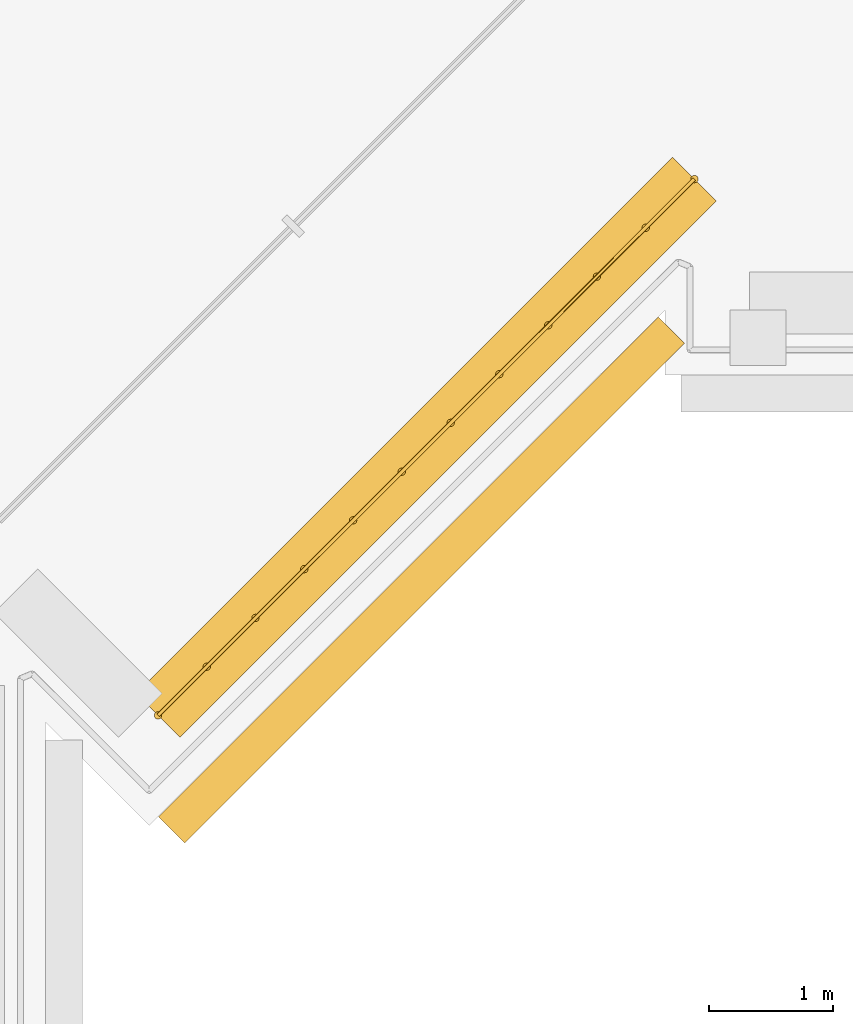
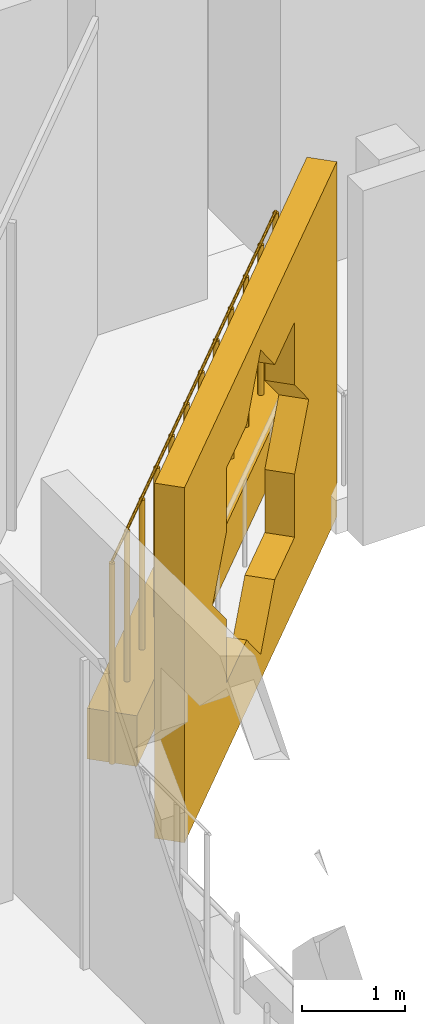
# One storey, part 22 of 28: 2 coverings, 1 railing.
"""IFC4 building model written with IfcOpenShell, lengths in metres."""

from ifc_helpers import new_model, si_unit, direction, frame, origin, origin_2d, place, context, subcontext, project, spatial, polyline, rectangle, circle, outline, extrude, material, material_profile, profile_set, type_object, element, save


model = new_model("IFC4")

# Units and contexts
model_context = context("Model", 3, precision=1e-05, world=origin(), true_north=direction((0.0, 1.0)))
body_context = subcontext(model_context, "Body", "Model", "MODEL_VIEW")
ifc_project = project(units=[si_unit("LENGTHUNIT", "METRE"), si_unit("AREAUNIT", "SQUARE_METRE"), si_unit("VOLUMEUNIT", "CUBIC_METRE"), si_unit("PLANEANGLEUNIT", "RADIAN"), si_unit("MASSUNIT", "GRAM", prefix="KILO")], contexts=[model_context])

# Site, building, storey
site_placement = place(None, origin())
site = spatial("IfcSite", under=ifc_project, at=site_placement, CompositionType="ELEMENT")
building_placement = place(site_placement, origin())
building = spatial("IfcBuilding", under=site, at=building_placement, Name="Kawkab Arch Medical Tower", CompositionType="ELEMENT")
storey_placement = place(building_placement, frame((0.0, 0.0, 47.60009765625)))
storey = spatial("IfcBuildingStorey", under=building, at=storey_placement, Name="L10", CompositionType="ELEMENT", Elevation=47.60009765625)

# Coverings
ifc_material_1 = material(Name="Bronze anodised aluminium mashrabiya panel, eight-point star pattern", Category="aluminium")
ifc_material_profile_1 = material_profile(ifc_material_1, outline(polyline([(-2.85009765625, -2.10009765625), (2.85009765625, -2.10009765625), (2.85009765625, 2.10009765625), (-2.85009765625, 2.10009765625), (-2.85009765625, -2.10009765625)]), holes=[polyline([(1.800048828125, 0.0), (1.272705078125, 0.527099609375), (1.272705078125, 1.272705078125), (0.527099609375, 1.272705078125), (0.0, 1.800048828125), (-0.527099609375, 1.272705078125), (-1.272705078125, 1.272705078125), (-1.272705078125, 0.527099609375), (-1.800048828125, 0.0), (-1.272705078125, -0.527099609375), (-1.272705078125, -1.272705078125), (-0.527099609375, -1.272705078125), (0.0, -1.800048828125), (0.527099609375, -1.272705078125), (1.272705078125, -1.272705078125), (1.272705078125, -0.527099609375), (1.800048828125, 0.0)])]), Name="Mashrabiya panel 5700x4200")
ifc_profile_set_1 = profile_set([ifc_material_profile_1], Name="Bronze anodised aluminium mashrabiya panel, eight-point star pattern")
covering_type_1 = type_object("IfcCoveringType", Name="Mashrabiya panel 5700 x 4200", PredefinedType="USERDEFINED", material=ifc_profile_set_1)
covering_1_placement = place(storey_placement, frame((29.128662109375, -30.94775390625, 1.699951171875), z_axis=(0.707106781187, -0.707106781187, 0.0), x_axis=(0.707106781187, 0.707106781187, 0.0)))
element("IfcCovering", 1, at=covering_1_placement, inside=storey, type_object=covering_type_1, Name="Mashrabiya panel L10.LOG-01-02.13", ObjectType="SCREEN", PredefinedType="USERDEFINED", context=body_context, shape_type="SweptSolid", body=[
    extrude(outline(polyline([(-2.85009765625, -2.10009765625), (2.85009765625, -2.10009765625), (2.85009765625, 2.10009765625), (-2.85009765625, 2.10009765625), (-2.85009765625, -2.10009765625)]), holes=[polyline([(1.800048828125, 0.0), (1.272705078125, 0.527099609375), (1.272705078125, 1.272705078125), (0.527099609375, 1.272705078125), (0.0, 1.800048828125), (-0.527099609375, 1.272705078125), (-1.272705078125, 1.272705078125), (-1.272705078125, 0.527099609375), (-1.800048828125, 0.0), (-1.272705078125, -0.527099609375), (-1.272705078125, -1.272705078125), (-0.527099609375, -1.272705078125), (0.0, -1.800048828125), (0.527099609375, -1.272705078125), (1.272705078125, -1.272705078125), (1.272705078125, -0.527099609375), (1.800048828125, 0.0)])]), origin(), (0.0, 0.0, 1.0), 0.300048828125),
])
ifc_material_2 = material(Name="Planting soil in a precast trough", Category="concrete")
ifc_material_profile_2 = material_profile(ifc_material_2, rectangle(XDim=0.5, YDim=0.60009765625, at=origin_2d()), Name="Trough 500x600")
ifc_profile_set_2 = profile_set([ifc_material_profile_2], Name="Planting soil in a precast trough")
covering_type_2 = type_object("IfcCoveringType", Name="Planter trough 500 x 600", PredefinedType="USERDEFINED", material=ifc_profile_set_2)
covering_2_placement = place(storey_placement, frame((31.43701171875, -27.820068359375, 0.2998046875), z_axis=(-0.707206504313, -0.707007043994, 0.0), x_axis=(0.707007043994, -0.707206504313, 0.0)))
element("IfcCovering", 2, at=covering_2_placement, inside=storey, type_object=covering_type_2, Name="Planter L10.LOG-01-02.47", ObjectType="PLANTER", PredefinedType="USERDEFINED", context=body_context, shape_type="SweptSolid", body=[
    extrude(rectangle(XDim=0.5, YDim=0.60009765625, at=origin_2d()), origin(), (0.0, 0.0, 1.0), 6.1201171875),
])

# Railing
ifc_material_3 = material(Name="Bronze anodised aluminium trellis for climbing plants", Category="aluminium")
railing_type = type_object("IfcRailingType", Name="Planting trellis 2400", PredefinedType="USERDEFINED", material=ifc_material_3)
railing_placement = place(storey_placement, frame((31.43701171875, -27.820068359375, 0.0)))
element("IfcRailing", 3, at=railing_placement, inside=storey, type_object=railing_type, Name="Planting trellis L10.LOG-01-02.47", ObjectType="TRELLIS", PredefinedType="USERDEFINED", context=body_context, shape_type="SweptSolid", body=[
    extrude(circle(Radius=0.01513671875, at=origin_2d()), frame((0.0, 0.0, 2.384765625), z_axis=(-0.707206504313, -0.707007043994, 0.0), x_axis=(0.707007043994, -0.707206504313, 0.0)), (0.0, 0.0, 1.0), 6.1201171875),
    extrude(circle(Radius=0.030029296875, at=origin_2d()), origin(), (0.0, 0.0, 1.0), 2.369873046875),
    extrude(circle(Radius=0.030029296875, at=origin_2d()), frame((-0.3935546875, -0.393310546875, 0.0)), (0.0, 0.0, 1.0), 2.369873046875),
    extrude(circle(Radius=0.030029296875, at=origin_2d()), frame((-0.786865234375, -0.78662109375, 0.0)), (0.0, 0.0, 1.0), 2.369873046875),
    extrude(circle(Radius=0.030029296875, at=origin_2d()), frame((-1.180419921875, -1.18017578125, 0.0)), (0.0, 0.0, 1.0), 2.369873046875),
    extrude(circle(Radius=0.030029296875, at=origin_2d()), frame((-1.573974609375, -1.573486328125, 0.0)), (0.0, 0.0, 1.0), 2.369873046875),
    extrude(circle(Radius=0.030029296875, at=origin_2d()), frame((-1.96728515625, -1.966796875, 0.0)), (0.0, 0.0, 1.0), 2.369873046875),
    extrude(circle(Radius=0.030029296875, at=origin_2d()), frame((-2.36083984375, -2.360107421875, 0.0)), (0.0, 0.0, 1.0), 2.369873046875),
    extrude(circle(Radius=0.030029296875, at=origin_2d()), frame((-2.754150390625, -2.75341796875, 0.0)), (0.0, 0.0, 1.0), 2.369873046875),
    extrude(circle(Radius=0.030029296875, at=origin_2d()), frame((-3.147705078125, -3.146728515625, 0.0)), (0.0, 0.0, 1.0), 2.369873046875),
    extrude(circle(Radius=0.030029296875, at=origin_2d()), frame((-3.541259765625, -3.540283203125, 0.0)), (0.0, 0.0, 1.0), 2.369873046875),
    extrude(circle(Radius=0.030029296875, at=origin_2d()), frame((-3.9345703125, -3.93359375, 0.0)), (0.0, 0.0, 1.0), 2.369873046875),
    extrude(circle(Radius=0.030029296875, at=origin_2d()), frame((-4.328125, -4.326904296875, 0.0)), (0.0, 0.0, 1.0), 2.369873046875),
])

save(model, "model.ifc")
